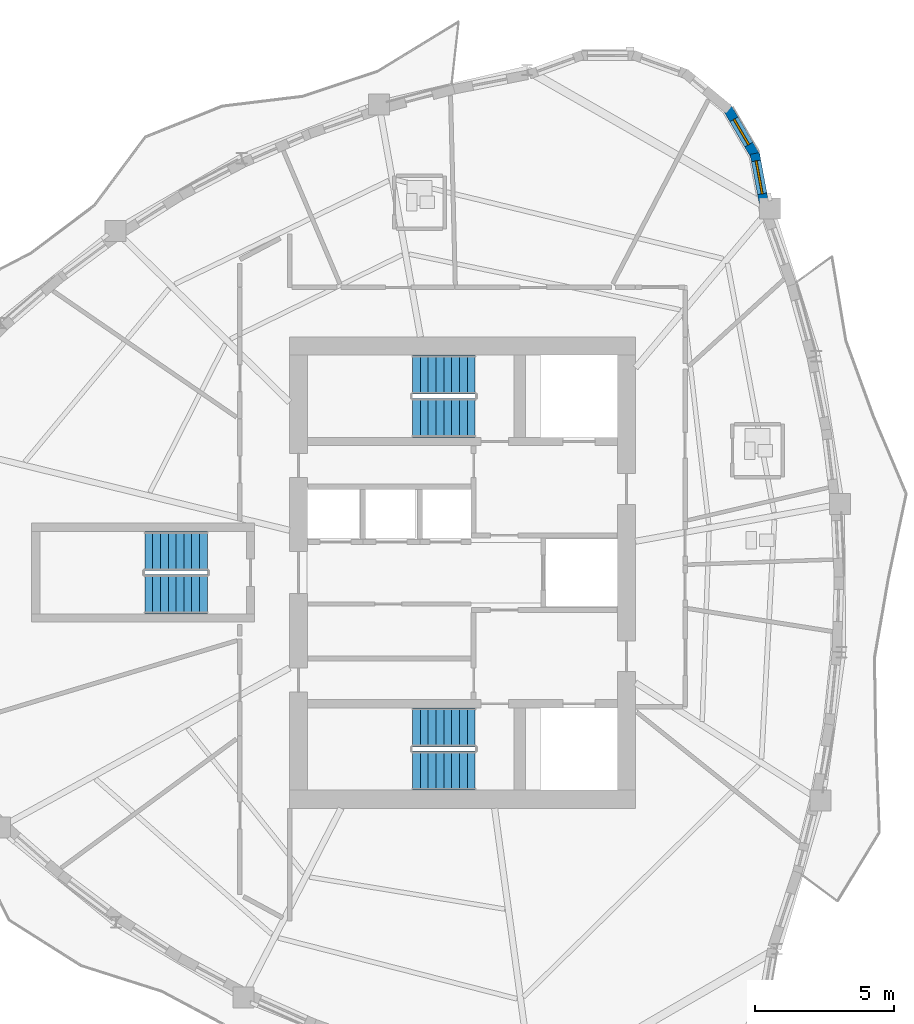
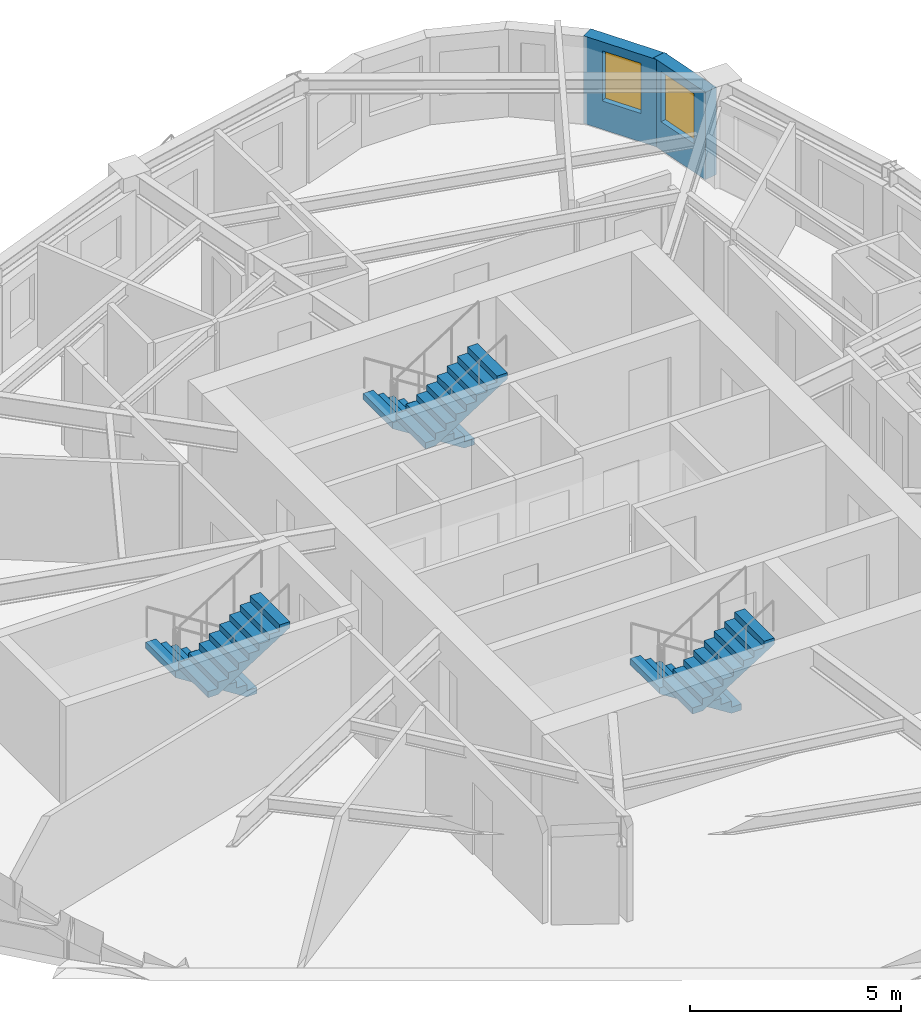
# One storey, part 8 of 12: 6 stair flights, 2 walls, 2 windows, 2 openings, 3 elements without a shape of their own.
"""IFC4 building model written with IfcOpenShell, lengths in metres."""

from ifc_helpers import new_model, si_unit, direction, frame, frame_2d, origin, place, context, subcontext, project, spatial, polyline, rectangle, outline, extrude, source, transform, mapped, material, layer, layer_set, type_object, element, fill, aggregate, save


model = new_model("IFC4")

# Units and contexts
model_context = context("Model", 3, precision=1e-05, world=origin(), true_north=direction((0.0, 1.0)))
body_context = subcontext(model_context, "Body", "Model", "MODEL_VIEW")
ifc_project = project(units=[si_unit("LENGTHUNIT", "METRE"), si_unit("AREAUNIT", "SQUARE_METRE"), si_unit("VOLUMEUNIT", "CUBIC_METRE"), si_unit("PLANEANGLEUNIT", "RADIAN"), si_unit("MASSUNIT", "GRAM", prefix="KILO")], contexts=[model_context])

# Site, building, storey
site_placement = place(None, origin())
site = spatial("IfcSite", under=ifc_project, at=site_placement, CompositionType="ELEMENT")
building_placement = place(site_placement, origin())
building = spatial("IfcBuilding", under=site, at=building_placement, Name="Qafzar Sky-Pleat Residences", CompositionType="ELEMENT")
storey_placement = place(building_placement, frame((0.0, 0.0, 139.39990234375)))
storey = spatial("IfcBuildingStorey", under=building, at=storey_placement, Name="L41", CompositionType="ELEMENT", Elevation=139.39990234375)

# Wall, opening, window
ifc_material_1 = material(Name="Precast concrete C40/50 with honed Riyadh limestone", Category="concrete")
ifc_layer = layer(ifc_material_1, 0.340087890625)
ifc_layer_set = layer_set([ifc_layer], Name="Precast concrete C40/50 with honed Riyadh limestone")
wall_type = type_object("IfcWallType", Name="WALL-EXT-340", PredefinedType="SOLIDWALL", material=ifc_layer_set)
wall_1_placement = place(storey_placement, frame((41.170166015625, 39.1708984375, 0.0), z_axis=(0.0, 0.0, 1.0), x_axis=(-0.182297593262, 0.983243401956, 0.0)))
wall_1 = element("IfcWall", 1, at=wall_1_placement, inside=storey, type_object=wall_type, Name="L41 Limestone Facade Wall 33", PredefinedType="SOLIDWALL", context=body_context, shape_type="SweptSolid", body=[
    extrude(rectangle(XDim=1.888427734375, YDim=0.340087890625, at=frame_2d((0.9443359375, 0.0))), origin(), (0.0, 0.0, 1.0), 2.530029296875),
])
opening_1_placement = place(wall_1_placement, frame((0.419189453125, 0.0, 0.820068359375)))
opening_1 = element("IfcOpeningElement", 2, at=opening_1_placement, cuts=wall_1, Name="Opening WN-05", PredefinedType="OPENING", context=body_context, shape_type="SweptSolid", body=[
    extrude(rectangle(XDim=1.199951171875, YDim=1.449951171875, at=frame_2d((0.60009765625, 0.72509765625))), frame((0.0, 0.18017578125, 0.0), z_axis=(0.0, -1.0, 0.0), x_axis=(1.0, 0.0, 0.0)), (0.0, 0.0, 1.0), 0.360107421875),
])
ifc_material_2 = material(Name="Solar-control low-E glass in bronze aluminium frame", Category="glass")
window_type_1 = type_object("IfcWindowType", Name="WIN-05", PartitioningType="SINGLE_PANEL", PredefinedType="WINDOW", material=ifc_material_2)
shared_shape_1 = source(origin(), body_context, "Body", "SweptSolid", [
    extrude(rectangle(XDim=1.199951171875, YDim=1.449951171875, at=frame_2d((0.60009765625, 0.72509765625))), frame((0.0, 0.030029296875, 0.0), z_axis=(0.0, -1.0, 0.0), x_axis=(1.0, 0.0, 0.0)), (0.0, 0.0, 1.0), 0.06005859375),
])
window_1_placement = place(opening_1_placement, origin())
window_1 = element("IfcWindow", 3, at=window_1_placement, inside=storey, type_object=window_type_1, Name="L41 Punched Facade Window 33", OverallHeight=1.449951171875, OverallWidth=1.199951171875, PartitioningType="SINGLE_PANEL", PredefinedType="WINDOW", context=body_context, shape_type="MappedRepresentation", body=[
    mapped(shared_shape_1, transform((0.0, 0.0, 0.0), x_axis=(1.0, 0.0, 0.0), y_axis=(0.0, 1.0, 0.0), z_axis=(0.0, 0.0, 1.0), scale=1.0)),
])
fill(opening_1, window_1)

wall_2_placement = place(storey_placement, frame((40.87255859375, 40.90234375, 0.0), z_axis=(0.0, 0.0, 1.0), x_axis=(-0.506225227923, 0.862401309493, 0.0)))
wall_2 = element("IfcWall", 4, at=wall_2_placement, inside=storey, type_object=wall_type, Name="L41 Limestone Facade Wall 34", PredefinedType="SOLIDWALL", context=body_context, shape_type="SweptSolid", body=[
    extrude(rectangle(XDim=2.0810546875, YDim=0.340087890625, at=frame_2d((1.04052734375, 0.0))), origin(), (0.0, 0.0, 1.0), 2.530029296875),
])
opening_2_placement = place(wall_2_placement, frame((0.515625, 0.0, 0.820068359375)))
opening_2 = element("IfcOpeningElement", 5, at=opening_2_placement, cuts=wall_2, Name="Opening WN-06", PredefinedType="OPENING", context=body_context, shape_type="SweptSolid", body=[
    extrude(rectangle(XDim=1.050048828125, YDim=1.449951171875, at=frame_2d((0.52490234375, 0.72509765625))), frame((0.0, 0.18017578125, 0.0), z_axis=(0.0, -1.0, 0.0), x_axis=(1.0, 0.0, 0.0)), (0.0, 0.0, 1.0), 0.360107421875),
])
window_type_2 = type_object("IfcWindowType", Name="WIN-06", PartitioningType="SINGLE_PANEL", PredefinedType="WINDOW", material=ifc_material_2)
shared_shape_2 = source(origin(), body_context, "Body", "SweptSolid", [
    extrude(rectangle(XDim=1.050048828125, YDim=1.449951171875, at=frame_2d((0.52490234375, 0.72509765625))), frame((0.0, 0.030029296875, 0.0), z_axis=(0.0, -1.0, 0.0), x_axis=(1.0, 0.0, 0.0)), (0.0, 0.0, 1.0), 0.06005859375),
])
window_2_placement = place(opening_2_placement, origin())
window_2 = element("IfcWindow", 6, at=window_2_placement, inside=storey, type_object=window_type_2, Name="L41 Punched Facade Window 34", OverallHeight=1.449951171875, OverallWidth=1.050048828125, PartitioningType="SINGLE_PANEL", PredefinedType="WINDOW", context=body_context, shape_type="MappedRepresentation", body=[
    mapped(shared_shape_2, transform((0.0, 0.0, 0.0), x_axis=(1.0, 0.0, 0.0), y_axis=(0.0, 1.0, 0.0), z_axis=(0.0, 0.0, 1.0), scale=1.0)),
])
fill(opening_2, window_2)

# Stair, stair flights
ifc_material_3 = material(Name="Concrete C40/50", Category="concrete")
stair_type = type_object("IfcStairType", Name="STAIR-H320", PredefinedType="HALF_TURN_STAIR", material=ifc_material_3)
stair_1_placement = place(storey_placement, origin())
stair_1 = element("IfcStair", 7, at=stair_1_placement, inside=storey, type_object=stair_type, Name="L41 Protected Exit Stair ST1", PredefinedType="HALF_TURN_STAIR")
stair_flight_type = type_object("IfcStairFlightType", Name="FLIGHT-H320", PredefinedType="STRAIGHT", material=ifc_material_3)
shared_shape_3 = source(origin(), body_context, "Body", "SweptSolid", [
    extrude(outline(polyline([(0.0, 0.0), (0.0, 0.177734375), (0.280029296875, 0.177734375), (0.280029296875, 0.35546875), (0.56005859375, 0.35546875), (0.56005859375, 0.533447265625), (0.840087890625, 0.533447265625), (0.840087890625, 0.711181640625), (1.1201171875, 0.711181640625), (1.1201171875, 0.888916015625), (1.39990234375, 0.888916015625), (1.39990234375, 1.066650390625), (1.679931640625, 1.066650390625), (1.679931640625, 1.244384765625), (1.9599609375, 1.244384765625), (1.9599609375, 1.422119140625), (2.239990234375, 1.422119140625), (2.239990234375, 1.60009765625), (2.239990234375, 1.24462890625), (0.27978515625, 0.0), (0.0, 0.0)])), frame((0.0, 0.699951171875, 0.0), z_axis=(0.0, -1.0, 0.0), x_axis=(1.0, 0.0, 0.0)), (0.0, 0.0, 1.0), 1.39990234375),
])
stair_flight_1_placement = place(storey_placement, frame((30.800048828125, 20.449951171875, 0.0), z_axis=(0.0, 0.0, 1.0), x_axis=(-1.0, 0.0, 0.0)))
stair_flight_1 = element("IfcStairFlight", 8, at=stair_flight_1_placement, type_object=stair_flight_type, Name="ST1 flight 1", NumberOfRisers=9, NumberOfTreads=8, PredefinedType="STRAIGHT", RiserHeight=0.177777778, TreadLength=0.28, context=body_context, shape_type="MappedRepresentation", body=[
    mapped(shared_shape_3, transform((0.0, 0.0, 0.0), x_axis=(1.0, 0.0, 0.0), y_axis=(0.0, 1.0, 0.0), z_axis=(0.0, 0.0, 1.0), scale=1.0)),
])
stair_flight_2_placement = place(storey_placement, frame((28.56005859375, 18.89990234375, 1.60009765625), z_axis=(0.0, 0.0, 1.0), x_axis=(1.0, 0.0, 0.0)))
stair_flight_2 = element("IfcStairFlight", 9, at=stair_flight_2_placement, type_object=stair_flight_type, Name="ST1 flight 2", NumberOfRisers=9, NumberOfTreads=8, PredefinedType="STRAIGHT", RiserHeight=0.177777778, TreadLength=0.28, context=body_context, shape_type="MappedRepresentation", body=[
    mapped(shared_shape_3, transform((0.0, 0.0, 0.0), x_axis=(1.0, 0.0, 0.0), y_axis=(0.0, 1.0, 0.0), z_axis=(0.0, 0.0, 1.0), scale=1.0)),
])
aggregate(stair_1, [stair_flight_1, stair_flight_2])

stair_2_placement = place(storey_placement, origin())
stair_2 = element("IfcStair", 10, at=stair_2_placement, inside=storey, type_object=stair_type, Name="L41 Protected Exit Stair ST2", PredefinedType="HALF_TURN_STAIR")
stair_flight_3_placement = place(storey_placement, frame((30.800048828125, 33.10009765625, 0.0), z_axis=(0.0, 0.0, 1.0), x_axis=(-1.0, 0.0, 0.0)))
stair_flight_3 = element("IfcStairFlight", 11, at=stair_flight_3_placement, type_object=stair_flight_type, Name="ST2 flight 1", NumberOfRisers=9, NumberOfTreads=8, PredefinedType="STRAIGHT", RiserHeight=0.177777778, TreadLength=0.28, context=body_context, shape_type="MappedRepresentation", body=[
    mapped(shared_shape_3, transform((0.0, 0.0, 0.0), x_axis=(1.0, 0.0, 0.0), y_axis=(0.0, 1.0, 0.0), z_axis=(0.0, 0.0, 1.0), scale=1.0)),
])
stair_flight_4_placement = place(storey_placement, frame((28.56005859375, 31.550048828125, 1.60009765625), z_axis=(0.0, 0.0, 1.0), x_axis=(1.0, 0.0, 0.0)))
stair_flight_4 = element("IfcStairFlight", 12, at=stair_flight_4_placement, type_object=stair_flight_type, Name="ST2 flight 2", NumberOfRisers=9, NumberOfTreads=8, PredefinedType="STRAIGHT", RiserHeight=0.177777778, TreadLength=0.28, context=body_context, shape_type="MappedRepresentation", body=[
    mapped(shared_shape_3, transform((0.0, 0.0, 0.0), x_axis=(1.0, 0.0, 0.0), y_axis=(0.0, 1.0, 0.0), z_axis=(0.0, 0.0, 1.0), scale=1.0)),
])
aggregate(stair_2, [stair_flight_3, stair_flight_4])

stair_3_placement = place(storey_placement, origin())
stair_3 = element("IfcStair", 13, at=stair_3_placement, inside=storey, type_object=stair_type, Name="L41 Protected Exit Stair ST3", PredefinedType="HALF_TURN_STAIR")
stair_flight_5_placement = place(storey_placement, frame((21.199951171875, 26.77490234375, 0.0), z_axis=(0.0, 0.0, 1.0), x_axis=(-1.0, 0.0, 0.0)))
stair_flight_5 = element("IfcStairFlight", 14, at=stair_flight_5_placement, type_object=stair_flight_type, Name="ST3 flight 1", NumberOfRisers=9, NumberOfTreads=8, PredefinedType="STRAIGHT", RiserHeight=0.177777778, TreadLength=0.28, context=body_context, shape_type="MappedRepresentation", body=[
    mapped(shared_shape_3, transform((0.0, 0.0, 0.0), x_axis=(1.0, 0.0, 0.0), y_axis=(0.0, 1.0, 0.0), z_axis=(0.0, 0.0, 1.0), scale=1.0)),
])
stair_flight_6_placement = place(storey_placement, frame((18.9599609375, 25.22509765625, 1.60009765625), z_axis=(0.0, 0.0, 1.0), x_axis=(1.0, 0.0, 0.0)))
stair_flight_6 = element("IfcStairFlight", 15, at=stair_flight_6_placement, type_object=stair_flight_type, Name="ST3 flight 2", NumberOfRisers=9, NumberOfTreads=8, PredefinedType="STRAIGHT", RiserHeight=0.177777778, TreadLength=0.28, context=body_context, shape_type="MappedRepresentation", body=[
    mapped(shared_shape_3, transform((0.0, 0.0, 0.0), x_axis=(1.0, 0.0, 0.0), y_axis=(0.0, 1.0, 0.0), z_axis=(0.0, 0.0, 1.0), scale=1.0)),
])
aggregate(stair_3, [stair_flight_5, stair_flight_6])

save(model, "model.ifc")
